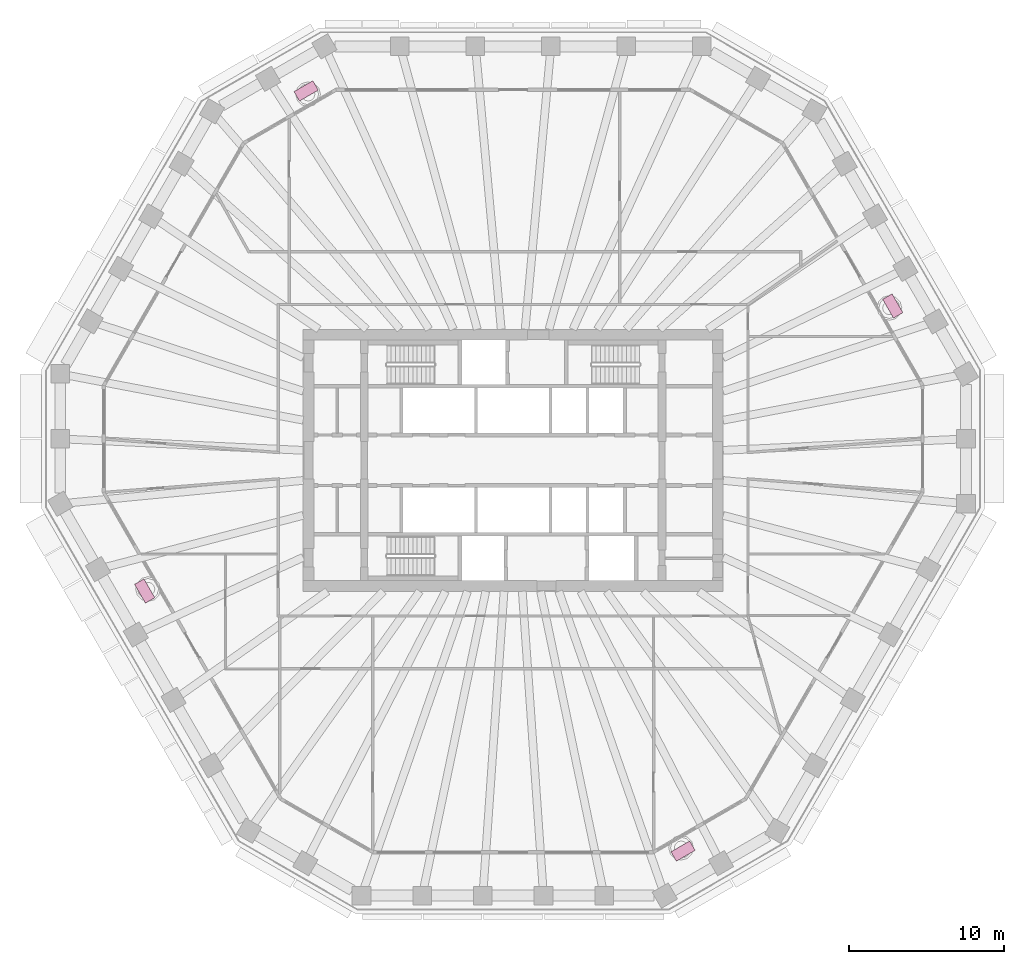
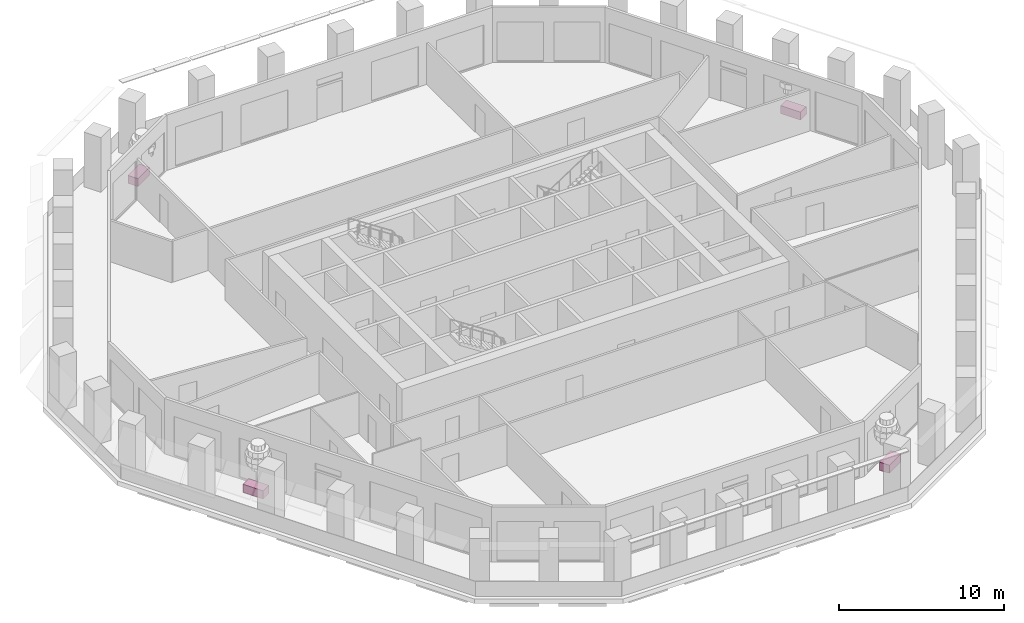
# One storey, part 11 of 12: 4 furniture elements.
"""IFC4 building model written with IfcOpenShell, lengths in metres."""

from ifc_helpers import new_model, si_unit, direction, frame, origin, origin_2d, place, context, subcontext, project, spatial, rectangle, extrude, material, type_object, element, save


model = new_model("IFC4")

# Units and contexts
model_context = context("Model", 3, precision=1e-05, world=origin(), true_north=direction((0.0, 1.0)))
body_context = subcontext(model_context, "Body", "Model", "MODEL_VIEW")
ifc_project = project(units=[si_unit("LENGTHUNIT", "METRE"), si_unit("AREAUNIT", "SQUARE_METRE"), si_unit("VOLUMEUNIT", "CUBIC_METRE"), si_unit("PLANEANGLEUNIT", "RADIAN"), si_unit("MASSUNIT", "GRAM", prefix="KILO")], contexts=[model_context])

# Site, building, storey
site_placement = place(None, origin())
site = spatial("IfcSite", under=ifc_project, at=site_placement, CompositionType="ELEMENT")
building_placement = place(site_placement, origin())
building = spatial("IfcBuilding", under=site, at=building_placement, Name="Frailejon Research Tower", CompositionType="ELEMENT")
storey_placement = place(building_placement, frame((0.0, 0.0, 189.199951171875)))
storey = spatial("IfcBuildingStorey", under=building, at=storey_placement, Name="L41", CompositionType="ELEMENT", Elevation=189.199951171875)

# Furniture
ifc_material = material(Name="Precast concrete C30/37 planter, terracotta", Category="masonry")
furniture_type = type_object("IfcFurnitureType", Name="Loggia planter 1400x700", AssemblyPlace="NOTDEFINED", PredefinedType="USERDEFINED", material=ifc_material)
for number, where, z_axis, x_axis, name in (
    (1, (24.486572265625, 9.95361328125, 0.0), (0.0, 0.0, 1.0), (-0.5, 0.866025403784, 0.0), "Planter L41"),
    (2, (-13.35302734375, 23.826904296875, 0.0), (0.0, 0.0, 1.0), (-0.866025403784, -0.5, 0.0), "Planter L41"),
    (3, (-23.76806640625, -8.4326171875, 0.0), (0.0, 0.0, 1.0), (0.5, -0.866025403784, 0.0), "Planter L41"),
    (4, (10.9580078125, -25.209716796875, 0.0), (0.0, 0.0, 1.0), (0.866025403784, 0.5, 0.0), "Planter L41"),
):
    element("IfcFurniture", number, at=place(storey_placement, frame(where, z_axis=z_axis, x_axis=x_axis)), inside=storey, type_object=furniture_type, Name=name, ObjectType="PLANTER", PredefinedType="USERDEFINED", context=body_context, shape_type="SweptSolid", body=[
        extrude(rectangle(XDim=1.39990234375, YDim=0.699951171875, at=origin_2d()), origin(), (0.0, 0.0, 1.0), 0.60009765625),
    ])

save(model, "model.ifc")
